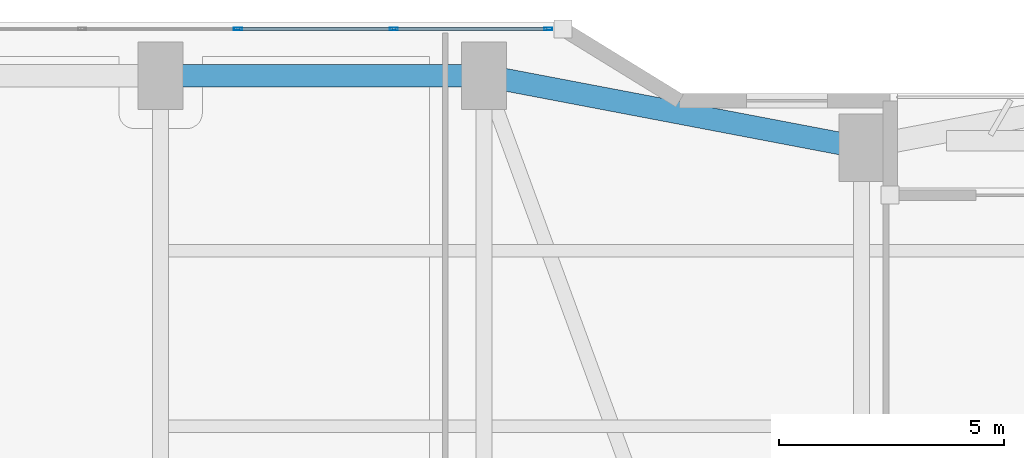
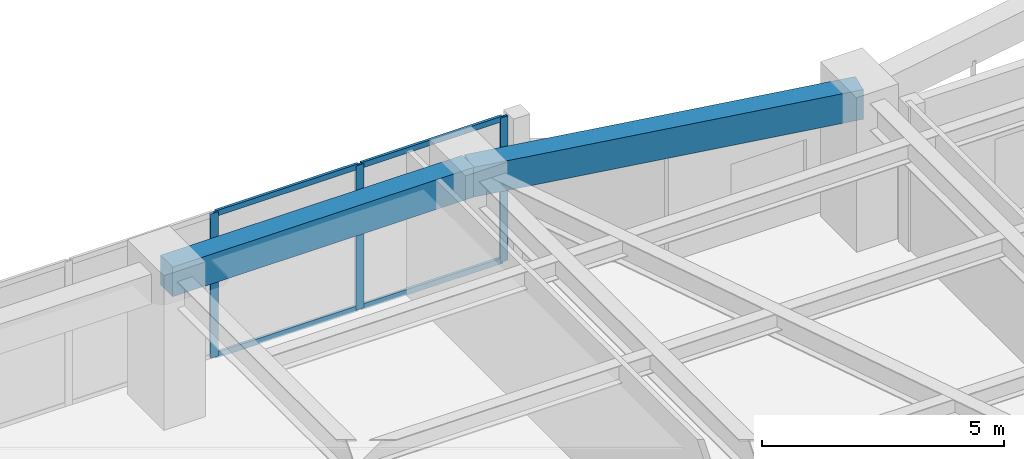
# One storey, part 17 of 28: 7 members, 2 beams, 1 element without a shape of its own.
"""IFC4 building model written with IfcOpenShell, lengths in metres."""

from ifc_helpers import new_model, si_unit, direction, frame, origin, origin_2d, place, context, subcontext, project, spatial, rectangle, hollow_rectangle, extrude, material, layer, layer_set, material_profile, profile_set, type_object, element, aggregate, save


model = new_model("IFC4")

# Units and contexts
model_context = context("Model", 3, precision=1e-05, world=origin(), true_north=direction((0.0, 1.0)))
body_context = subcontext(model_context, "Body", "Model", "MODEL_VIEW")
ifc_project = project(units=[si_unit("LENGTHUNIT", "METRE"), si_unit("AREAUNIT", "SQUARE_METRE"), si_unit("VOLUMEUNIT", "CUBIC_METRE"), si_unit("PLANEANGLEUNIT", "RADIAN"), si_unit("MASSUNIT", "GRAM", prefix="KILO")], contexts=[model_context])

# Site, building, storey
site_placement = place(None, origin())
site = spatial("IfcSite", under=ifc_project, at=site_placement, CompositionType="ELEMENT")
building_placement = place(site_placement, origin())
building = spatial("IfcBuilding", under=site, at=building_placement, Name="Kiyonajd Concourse Tower", CompositionType="ELEMENT")
storey_placement = place(building_placement, frame((0.0, 0.0, 56.699951171875)))
storey = spatial("IfcBuildingStorey", under=building, at=storey_placement, Name="L15", CompositionType="ELEMENT", Elevation=56.699951171875)

# Beams
ifc_material_1 = material(Name="Precast concrete C50/60", Category="concrete")
ifc_material_profile_1 = material_profile(ifc_material_1, rectangle(XDim=0.5, YDim=0.75, at=origin_2d()), Name="RCBM-500x750")
ifc_profile_set_1 = profile_set([ifc_material_profile_1], Name="Precast concrete C50/60")
beam_type = type_object("IfcBeamType", Name="BM-SPAN-RC", PredefinedType="SPANDREL", material=ifc_profile_set_1)
beam_1_placement = place(storey_placement, frame((48.0, 59.60009765625, 3.26513671875), z_axis=(-0.982341315253, 0.187097675953, 0.0), x_axis=(-0.187097675953, -0.982341315253, 0.0)))
element("IfcBeam", 1, at=beam_1_placement, inside=storey, type_object=beam_type, Name="L15 Perimeter Bundled Tube Spandrel", PredefinedType="SPANDREL", context=body_context, shape_type="SweptSolid", body=[
    extrude(rectangle(XDim=0.5, YDim=0.75, at=origin_2d()), origin(), (0.0, 0.0, 1.0), 8.55078125),
])
beam_2_placement = place(storey_placement, frame((39.60009765625, 61.199951171875, 3.26513671875), z_axis=(-1.0, 0.0, 0.0), x_axis=(0.0, -1.0, 0.0)))
element("IfcBeam", 2, at=beam_2_placement, inside=storey, type_object=beam_type, Name="L15 Perimeter Bundled Tube Spandrel", PredefinedType="SPANDREL", context=body_context, shape_type="SweptSolid", body=[
    extrude(rectangle(XDim=0.5, YDim=0.75, at=origin_2d()), origin(), (0.0, 0.0, 1.0), 7.2001953125),
])

# Curtain wall, members
ifc_material_2 = material(Name="Thermally Broken Anodised Aluminium", Category="aluminium")
ifc_layer = layer(ifc_material_2, 0.179931640625)
ifc_layer_set = layer_set([ifc_layer], Name="Thermally Broken Anodised Aluminium")
curtain_wall_type = type_object("IfcCurtainWallType", Name="CW-SYS-02", PredefinedType="NOTDEFINED", material=ifc_layer_set)
curtain_wall_placement = place(storey_placement, origin())
curtain_wall = element("IfcCurtainWall", 3, at=curtain_wall_placement, inside=storey, type_object=curtain_wall_type, Name="L15 Unitised Curtain Wall CW2", PredefinedType="NOTDEFINED")
ifc_material_profile_2 = material_profile(ifc_material_2, hollow_rectangle(XDim=0.06494140625, YDim=0.179931640625, WallThickness=0.00390625, at=origin_2d()), Name="MULL-65x180")
ifc_profile_set_2 = profile_set([ifc_material_profile_2], Name="Thermally Broken Anodised Aluminium")
member_type_1 = type_object("IfcMemberType", Name="MB-CW-MULL1", PredefinedType="MULLION", material=ifc_profile_set_2)
member_1_placement = place(storey_placement, frame((34.123291015625, 62.239990234375, 0.0), z_axis=(0.0, 0.0, 1.0), x_axis=(0.0, 1.0, 0.0)))
member_1 = element("IfcMember", 4, at=member_1_placement, type_object=member_type_1, Name="CW2 mullion 4", PredefinedType="MULLION", context=body_context, shape_type="SweptSolid", body=[
    extrude(hollow_rectangle(XDim=0.06494140625, YDim=0.179931640625, WallThickness=0.00390625, at=origin_2d()), origin(), (0.0, 0.0, 1.0), 3.64013671875),
])
member_2_placement = place(storey_placement, frame((37.593994140625, 62.239990234375, 0.0), z_axis=(0.0, 0.0, 1.0), x_axis=(0.0, 1.0, 0.0)))
member_2 = element("IfcMember", 5, at=member_2_placement, type_object=member_type_1, Name="CW2 mullion 5", PredefinedType="MULLION", context=body_context, shape_type="SweptSolid", body=[
    extrude(hollow_rectangle(XDim=0.06494140625, YDim=0.179931640625, WallThickness=0.00390625, at=origin_2d()), origin(), (0.0, 0.0, 1.0), 3.64013671875),
])
member_3_placement = place(storey_placement, frame((41.0322265625, 62.239990234375, 0.0), z_axis=(0.0, 0.0, 1.0), x_axis=(0.0, 1.0, 0.0)))
member_3 = element("IfcMember", 6, at=member_3_placement, type_object=member_type_1, Name="CW2 mullion 6", PredefinedType="MULLION", context=body_context, shape_type="SweptSolid", body=[
    extrude(hollow_rectangle(XDim=0.06494140625, YDim=0.179931640625, WallThickness=0.00390625, at=origin_2d()), origin(), (0.0, 0.0, 1.0), 3.64013671875),
])
ifc_material_profile_3 = material_profile(ifc_material_2, hollow_rectangle(XDim=0.06494140625, YDim=0.139892578125, WallThickness=0.00390625, at=origin_2d()), Name="TRAN-65x140")
ifc_profile_set_3 = profile_set([ifc_material_profile_3], Name="Thermally Broken Anodised Aluminium")
member_type_2 = type_object("IfcMemberType", Name="MB-CW-TRAN1", PredefinedType="USERDEFINED", material=ifc_profile_set_3)
member_4_placement = place(storey_placement, frame((34.15576171875, 62.239990234375, 0.032470703125), z_axis=(1.0, 0.0, 0.0), x_axis=(0.0, 1.0, 0.0)))
member_4 = element("IfcMember", 7, at=member_4_placement, type_object=member_type_2, Name="CW2 transom 4.1", ObjectType="TRANSOM", PredefinedType="USERDEFINED", context=body_context, shape_type="SweptSolid", body=[
    extrude(hollow_rectangle(XDim=0.06494140625, YDim=0.139892578125, WallThickness=0.00390625, at=origin_2d()), origin(), (0.0, 0.0, 1.0), 3.40576171875),
])
member_5_placement = place(storey_placement, frame((34.15576171875, 62.239990234375, 3.607666015625), z_axis=(1.0, 0.0, 0.0), x_axis=(0.0, 1.0, 0.0)))
member_5 = element("IfcMember", 8, at=member_5_placement, type_object=member_type_2, Name="CW2 transom 4.2", ObjectType="TRANSOM", PredefinedType="USERDEFINED", context=body_context, shape_type="SweptSolid", body=[
    extrude(hollow_rectangle(XDim=0.06494140625, YDim=0.139892578125, WallThickness=0.00390625, at=origin_2d()), origin(), (0.0, 0.0, 1.0), 3.40576171875),
])
member_6_placement = place(storey_placement, frame((37.62646484375, 62.239990234375, 0.032470703125), z_axis=(1.0, 0.0, 0.0), x_axis=(0.0, 1.0, 0.0)))
member_6 = element("IfcMember", 9, at=member_6_placement, type_object=member_type_2, Name="CW2 transom 5.1", ObjectType="TRANSOM", PredefinedType="USERDEFINED", context=body_context, shape_type="SweptSolid", body=[
    extrude(hollow_rectangle(XDim=0.06494140625, YDim=0.139892578125, WallThickness=0.00390625, at=origin_2d()), origin(), (0.0, 0.0, 1.0), 3.373291015625),
])
member_7_placement = place(storey_placement, frame((37.62646484375, 62.239990234375, 3.607666015625), z_axis=(1.0, 0.0, 0.0), x_axis=(0.0, 1.0, 0.0)))
member_7 = element("IfcMember", 10, at=member_7_placement, type_object=member_type_2, Name="CW2 transom 5.2", ObjectType="TRANSOM", PredefinedType="USERDEFINED", context=body_context, shape_type="SweptSolid", body=[
    extrude(hollow_rectangle(XDim=0.06494140625, YDim=0.139892578125, WallThickness=0.00390625, at=origin_2d()), origin(), (0.0, 0.0, 1.0), 3.373291015625),
])
aggregate(curtain_wall, [member_1, member_2, member_3, member_4, member_5, member_6, member_7])

save(model, "model.ifc")
